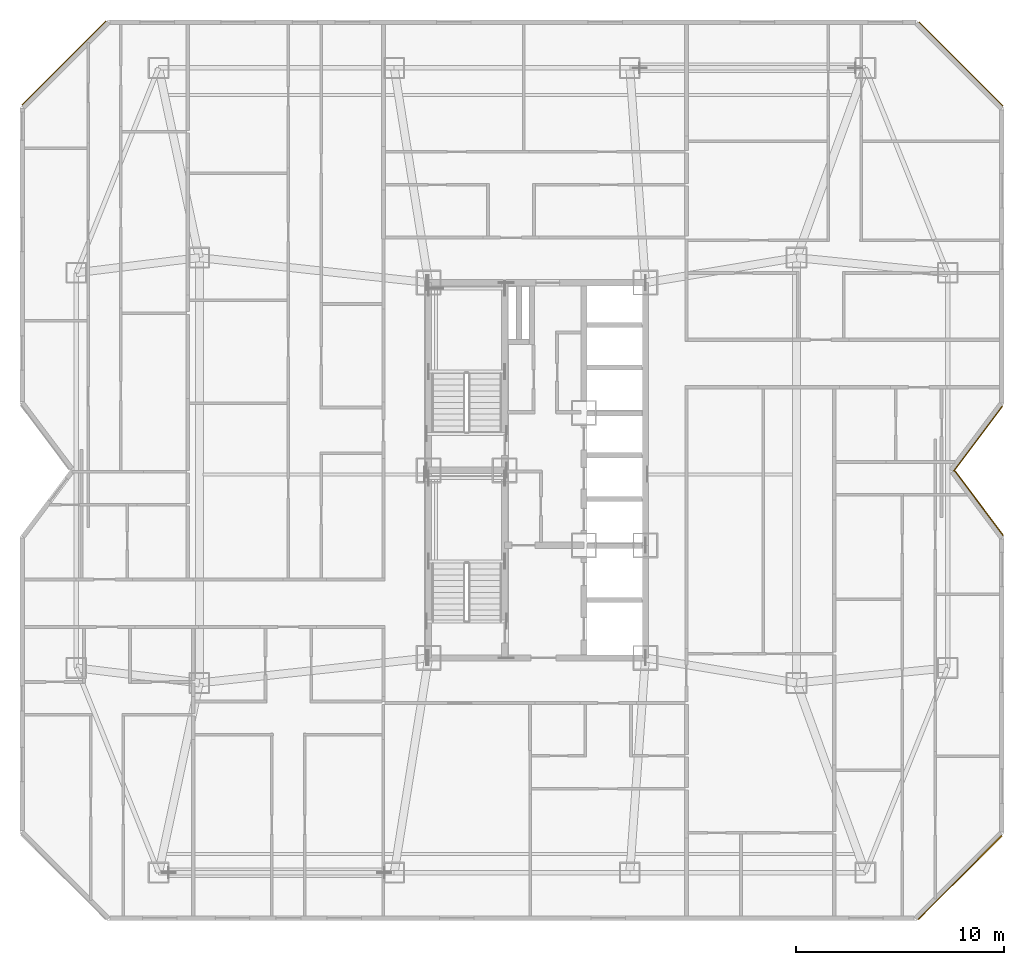
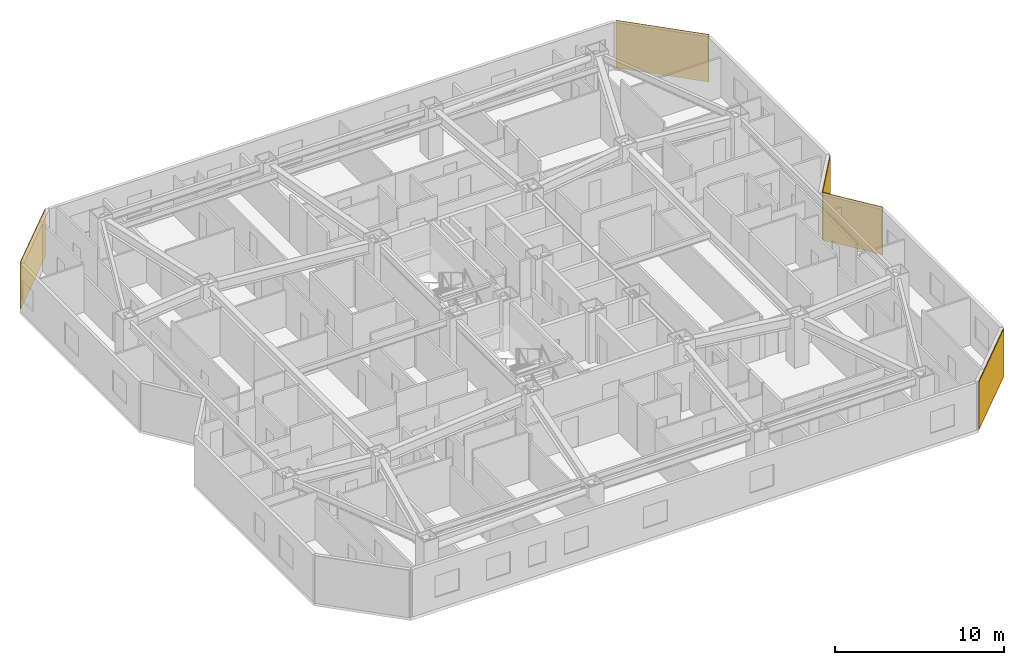
# One storey, part 13 of 13: 5 coverings.
"""IFC4 building model written with IfcOpenShell, lengths in metres."""

import ifcopenshell
import ifcopenshell.guid

model = None  # the IFC model being written
_history = None  # IfcOwnerHistory: only IFC2X3 demands one
_inside = {}  # id of a spatial element -> (the spatial element, [elements in it])
_under = {}  # id of a project, library or spatial element -> (it, [spatial elements below it])
_declared = {}  # id of a project -> (the project, [libraries it declares])
_typed = {}  # id of a type object -> (the type object, [elements of that type])
_made_of = {}  # id of a material, layer set ... -> (it, [elements and type objects made of it])


def new_model(schema):
    """Start an empty IFC model of exactly this schema.

    Asked for "IFC4X3", IfcOpenShell would pick the latest addendum, in which some entities
    have other attributes; the version numbers below select the first issue.
    IFC2X3 requires an IfcOwnerHistory on every rooted entity: one is made here for all.
    """
    global model, _history
    if schema == "IFC4X3":
        model = ifcopenshell.file(schema_version=(4, 3, 0, 0))
    else:
        model = ifcopenshell.file(schema=schema)
    _inside.clear()
    _under.clear()
    _declared.clear()
    _typed.clear()
    _made_of.clear()
    _history = None
    if model.schema == "IFC2X3":
        org = make("IfcOrganization", Name="unknown")
        user = make(
            "IfcPersonAndOrganization",
            ThePerson=make("IfcPerson", FamilyName="unknown"),
            TheOrganization=org,
        )
        app = make(
            "IfcApplication",
            ApplicationDeveloper=org,
            Version="unknown",
            ApplicationFullName="unknown",
            ApplicationIdentifier="unknown",
        )
        _history = make(
            "IfcOwnerHistory",
            OwningUser=user,
            OwningApplication=app,
            ChangeAction="ADDED",
            CreationDate=0,
        )
    return model


def make(cls, **values):
    """One entity of the class cls with the attributes given. An attribute that is None is left unset."""
    return model.create_entity(
        cls, **{name: value for name, value in values.items() if value is not None}
    )


def rooted(cls, **values):
    """An entity with a GlobalId (a new one), such as an element, a storey or a relation."""
    return make(cls, GlobalId=ifcopenshell.guid.new(), OwnerHistory=_history, **values)


def si_unit(unit_type, name, prefix=None):
    """IfcSIUnit, for example si_unit("LENGTHUNIT", "METRE", prefix="MILLI")."""
    return make("IfcSIUnit", UnitType=unit_type, Prefix=prefix, Name=name)


def assignment(units):
    """IfcUnitAssignment: the units of a project."""
    return None if units is None else make("IfcUnitAssignment", Units=units)


def point(xyz):
    """IfcCartesianPoint."""
    return None if xyz is None else make("IfcCartesianPoint", Coordinates=xyz)


def direction(xyz):
    """IfcDirection."""
    return None if xyz is None else make("IfcDirection", DirectionRatios=xyz)


def frame(location, z_axis=None, x_axis=None):
    """IfcAxis2Placement3D, a coordinate frame: its origin and axes. An axis left out is left unset."""
    return make(
        "IfcAxis2Placement3D",
        Location=point(location),
        Axis=direction(z_axis),
        RefDirection=direction(x_axis),
    )


def frame_2d(location, x_axis=None):
    """IfcAxis2Placement2D, a coordinate frame in the plane: its origin and x axis."""
    return make(
        "IfcAxis2Placement2D", Location=point(location), RefDirection=direction(x_axis)
    )


def origin():
    """The frame at (0, 0, 0) with its axes left unset."""
    return frame((0.0, 0.0, 0.0))


def origin_2d():
    """The frame at (0, 0) in the plane with its x axis left unset."""
    return frame_2d((0.0, 0.0))


def place(relative_to, where):
    """IfcLocalPlacement: puts the frame where relative to a parent placement (None: the world)."""
    return make(
        "IfcLocalPlacement", PlacementRelTo=relative_to, RelativePlacement=where
    )


def context(
    kind, dimensions, precision=None, world=None, true_north=None, identifier=None
):
    """IfcGeometricRepresentationContext, for example the 3D "Model" context."""
    return make(
        "IfcGeometricRepresentationContext",
        ContextIdentifier=identifier,
        ContextType=kind,
        CoordinateSpaceDimension=dimensions,
        Precision=precision,
        WorldCoordinateSystem=world,
        TrueNorth=true_north,
    )


def subcontext(parent, identifier, kind, view, scale=None):
    """IfcGeometricRepresentationSubContext, for example "Body" below "Model"."""
    return make(
        "IfcGeometricRepresentationSubContext",
        ContextIdentifier=identifier,
        ContextType=kind,
        ParentContext=parent,
        TargetScale=scale,
        TargetView=view,
    )


def project(units=None, contexts=None):
    """IfcProject with its units and contexts."""
    return rooted(
        "IfcProject",
        Name="project",
        RepresentationContexts=contexts,
        UnitsInContext=assignment(units),
    )


def spatial(cls, under=None, at=None, **own):
    """A site, building, storey or space (cls), placed at a placement, below another one or the project."""
    s = rooted(cls, ObjectPlacement=at, **own)
    if under is not None:
        _under.setdefault(under.id(), (under, []))[1].append(s)
    return s


def profile(cls, at=None, kind="AREA", **sizes):
    """A parametric profile (cls). Its sizes go by their IFC names, for example OverallWidth=200.0."""
    return make(cls, ProfileType=kind, Position=at, **sizes)


def rectangle(**sizes):
    """IfcRectangleProfileDef."""
    return profile("IfcRectangleProfileDef", **sizes)


def extrude(swept, where, along, depth):
    """IfcExtrudedAreaSolid: the profile swept, set in the frame where, extruded along a direction by depth."""
    return make(
        "IfcExtrudedAreaSolid",
        SweptArea=swept,
        Position=where,
        ExtrudedDirection=direction(along),
        Depth=depth,
    )


def shape(context_of_items, identifier, shape_type, items):
    """IfcShapeRepresentation: the items that make up one representation, for example the "Body"."""
    return make(
        "IfcShapeRepresentation",
        ContextOfItems=context_of_items,
        RepresentationIdentifier=identifier,
        RepresentationType=shape_type,
        Items=items,
    )


def material(Name=None, Category=None):
    """IfcMaterial."""
    return make("IfcMaterial", Name=Name, Category=Category)


def layer(
    of_material, thickness, ventilated=None, Name=None, Category=None, Priority=None
):
    """IfcMaterialLayer: one layer of a wall or slab, of a material (None: an air gap)."""
    return make(
        "IfcMaterialLayer",
        Material=of_material,
        LayerThickness=thickness,
        IsVentilated=ventilated,
        Name=Name,
        Category=Category,
        Priority=Priority,
    )


def layer_set(layers, Name=None):
    """IfcMaterialLayerSet."""
    return make("IfcMaterialLayerSet", MaterialLayers=layers, LayerSetName=Name)


def made_of(thing, what):
    """Note that an element or type object is made of a material, layer set ...; save() writes the relation."""
    if what is not None:
        _made_of.setdefault(what.id(), (what, []))[1].append(thing)
    return thing


def type_object(cls, material=None, **own):
    """A type object (cls), such as IfcWallType, which elements share."""
    return made_of(rooted(cls, **own), material)


def element(
    cls,
    number,
    at=None,
    inside=None,
    cuts=None,
    type_object=None,
    material=None,
    context=None,
    identifier="Body",
    shape_type=None,
    held_by="IfcProductDefinitionShape",
    body=None,
    shapes=None,
    **own,
):
    """One element of the class cls, such as IfcWall. Its Tag is "e" and its number.

    at: its placement. inside: the storey or other place that contains it. cuts: it is an
    opening in that element (IfcRelVoidsElement). A single representation is given by context,
    identifier, shape_type and body (its items); several are given by shapes. held_by: the class
    of the entity that holds the representations. save() writes the other relations.
    """
    e = rooted(cls, Tag="e%d" % number, ObjectPlacement=at, **own)
    if body is not None:
        shapes = [shape(context, identifier, shape_type, body)]
    if shapes is not None:
        e.Representation = make(held_by, Representations=shapes)
    if inside is not None:
        _inside.setdefault(inside.id(), (inside, []))[1].append(e)
    if cuts is not None:
        rooted(
            "IfcRelVoidsElement", RelatingBuildingElement=cuts, RelatedOpeningElement=e
        )
    if type_object is not None:
        _typed.setdefault(type_object.id(), (type_object, []))[1].append(e)
    return made_of(e, material)


def aggregate(whole, parts):
    """IfcRelAggregates: a whole, such as a stair, and the parts it consists of."""
    return rooted("IfcRelAggregates", RelatingObject=whole, RelatedObjects=parts)


def save(model, path):
    """Write the relations noted so far, then the file.

    IfcRelAggregates (storeys below a building ...), IfcRelContainedInSpatialStructure (elements
    in a storey), IfcRelDefinesByType, IfcRelAssociatesMaterial and IfcRelDeclares: one each for
    every whole, place, type object, material and project.
    """
    for whole, parts in _under.values():
        aggregate(whole, parts)
    for where, things in _inside.values():
        rooted(
            "IfcRelContainedInSpatialStructure",
            RelatedElements=things,
            RelatingStructure=where,
        )
    for kind, things in _typed.values():
        rooted("IfcRelDefinesByType", RelatedObjects=things, RelatingType=kind)
    for what, things in _made_of.values():
        rooted("IfcRelAssociatesMaterial", RelatedObjects=things, RelatingMaterial=what)
    for by, libraries in _declared.values():
        rooted("IfcRelDeclares", RelatingContext=by, RelatedDefinitions=libraries)
    model.write(path)


model = new_model("IFC4")

# Units and contexts
model_context = context("Model", 3, precision=1e-05, world=origin(), true_north=direction((0.0, 1.0)))
body_context = subcontext(model_context, "Body", "Model", "MODEL_VIEW")
ifc_project = project(units=[si_unit("LENGTHUNIT", "METRE"), si_unit("AREAUNIT", "SQUARE_METRE"), si_unit("VOLUMEUNIT", "CUBIC_METRE"), si_unit("PLANEANGLEUNIT", "RADIAN"), si_unit("MASSUNIT", "GRAM", prefix="KILO")], contexts=[model_context])

# Site, building, storey
site_placement = place(None, origin())
site = spatial("IfcSite", under=ifc_project, at=site_placement, CompositionType="ELEMENT")
building_placement = place(site_placement, origin())
building = spatial("IfcBuilding", under=site, at=building_placement, Name="Khamvora Tower", CompositionType="ELEMENT")
storey_placement = place(building_placement, frame((0.0, 0.0, 105.550048828125)))
storey = spatial("IfcBuildingStorey", under=building, at=storey_placement, Name="L26", CompositionType="ELEMENT", Elevation=105.550048828125)

# Coverings
ifc_material_1 = material(Name="Pale Anodised Aluminium Rainscreen Panel", Category="aluminium")
ifc_layer_1 = layer(ifc_material_1, 0.044921875)
ifc_layer_set_1 = layer_set([ifc_layer_1], Name="Pale Anodised Aluminium Rainscreen Panel")
covering_type_1 = type_object("IfcCoveringType", Name="COV-CLD-ALU", PredefinedType="CLADDING", material=ifc_layer_set_1)
for number, where, z_axis, x_axis, name in (
    (1, (11.510986328125, 47.537109375, 0.0), (0.0, 0.0, 1.0), (0.707106781187, 0.707106781187, 0.0), "L26 chamfer rainscreen cladding 06.1"),
    (2, (54.537109375, 47.489013671875, 0.0), (0.0, 0.0, 1.0), (0.707106781187, -0.707106781187, 0.0), "L26 chamfer rainscreen cladding 08.1"),
):
    element("IfcCovering", number, at=place(storey_placement, frame(where, z_axis=z_axis, x_axis=x_axis)), inside=storey, type_object=covering_type_1, Name=name, PredefinedType="CLADDING", context=body_context, shape_type="SweptSolid", body=[
        extrude(rectangle(XDim=5.680908203125, YDim=0.044921875, at=origin_2d()), origin(), (0.0, 0.0, 1.0), 3.429931640625),
    ])
covering_1_placement = place(storey_placement, frame((55.361083984375, 29.51904296875, 0.0), z_axis=(0.0, 0.0, 1.0), x_axis=(-0.600120318085, -0.799909747298, 0.0)))
element("IfcCovering", 3, at=covering_1_placement, inside=storey, type_object=covering_type_1, Name="L26 chamfer rainscreen cladding 10.1", PredefinedType="CLADDING", context=body_context, shape_type="SweptSolid", body=[
    extrude(rectangle(XDim=3.888916015625, YDim=0.044921875, at=origin_2d()), origin(), (0.0, 0.0, 1.0), 3.429931640625),
])
ifc_material_2 = material(Name="Anodised Bronze Aluminium Spandrel Panel", Category="aluminium")
ifc_layer_2 = layer(ifc_material_2, 0.054931640625)
ifc_layer_set_2 = layer_set([ifc_layer_2], Name="Anodised Bronze Aluminium Spandrel Panel")
covering_type_2 = type_object("IfcCoveringType", Name="COV-CLD-BRZ", PredefinedType="CLADDING", material=ifc_layer_set_2)
covering_2_placement = place(storey_placement, frame((55.406982421875, 26.419921875, 0.0), z_axis=(0.0, 0.0, 1.0), x_axis=(0.600040491207, -0.799969629993, 0.0)))
element("IfcCovering", 4, at=covering_2_placement, inside=storey, type_object=covering_type_2, Name="L26 chamfer rainscreen cladding 11.1", PredefinedType="CLADDING", context=body_context, shape_type="SweptSolid", body=[
    extrude(rectangle(XDim=3.85107421875, YDim=0.054931640625, at=origin_2d()), origin(), (0.0, 0.0, 1.0), 3.429931640625),
])
covering_3_placement = place(storey_placement, frame((54.488037109375, 8.4619140625, 0.0), z_axis=(0.0, 0.0, 1.0), x_axis=(-0.707106781187, -0.707106781187, 0.0)))
element("IfcCovering", 5, at=covering_3_placement, inside=storey, type_object=covering_type_2, Name="L26 chamfer rainscreen cladding 13.1", PredefinedType="CLADDING", context=body_context, shape_type="SweptSolid", body=[
    extrude(rectangle(XDim=5.677978515625, YDim=0.054931640625, at=origin_2d()), origin(), (0.0, 0.0, 1.0), 3.429931640625),
])

save(model, "model.ifc")
